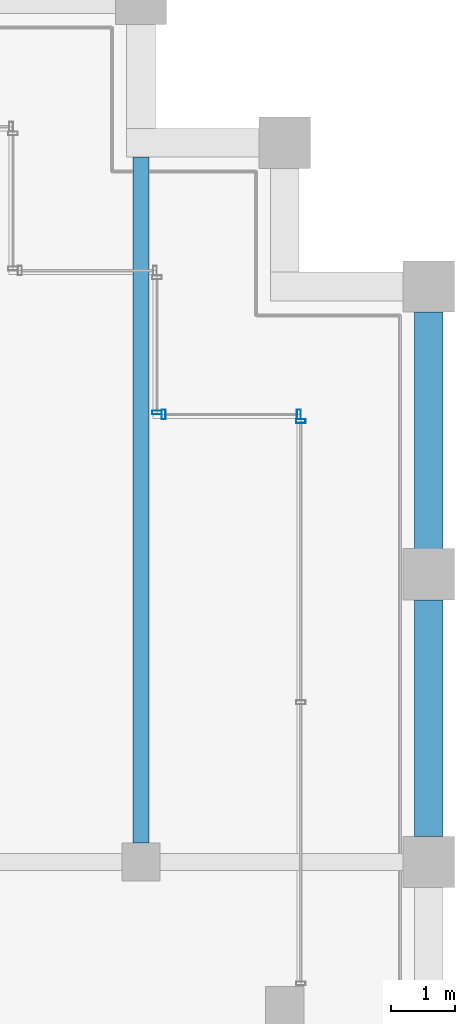
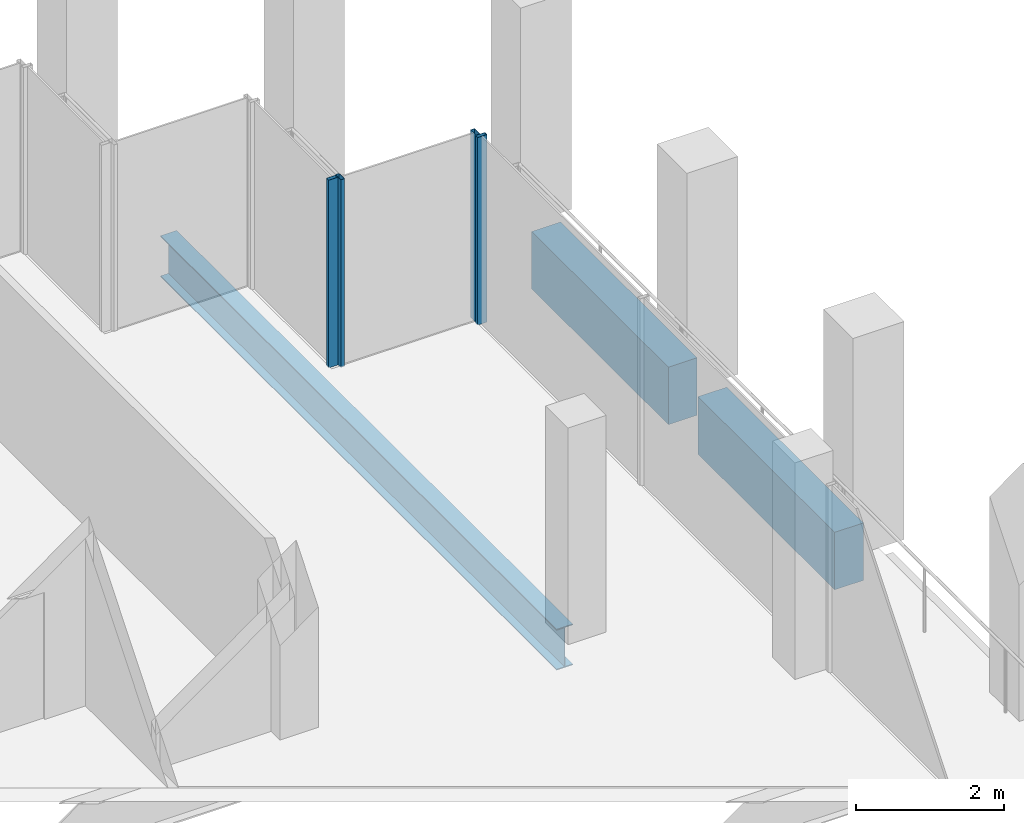
# One storey, part 25 of 30: 4 members, 3 beams, 3 elements without a shape of their own.
"""IFC4 building model written with IfcOpenShell, lengths in metres."""

from ifc_helpers import new_model, si_unit, direction, frame, origin, origin_2d, place, context, subcontext, project, spatial, rectangle, hollow_rectangle, i_section, extrude, material, material_profile, profile_set, type_object, element, aggregate, save


model = new_model("IFC4")

# Units and contexts
model_context = context("Model", 3, precision=1e-05, world=origin(), true_north=direction((0.0, 1.0)))
body_context = subcontext(model_context, "Body", "Model", "MODEL_VIEW")
ifc_project = project(units=[si_unit("LENGTHUNIT", "METRE"), si_unit("AREAUNIT", "SQUARE_METRE"), si_unit("VOLUMEUNIT", "CUBIC_METRE"), si_unit("PLANEANGLEUNIT", "RADIAN"), si_unit("MASSUNIT", "GRAM", prefix="KILO")], contexts=[model_context])

# Site, building, storey
site_placement = place(None, origin())
site = spatial("IfcSite", under=ifc_project, at=site_placement, CompositionType="ELEMENT")
building_placement = place(site_placement, origin())
building = spatial("IfcBuilding", under=site, at=building_placement, Name="Altepetl Exchange Towers", CompositionType="ELEMENT")
storey_placement = place(building_placement, frame((0.0, 0.0, 217.199951171875)))
storey = spatial("IfcBuildingStorey", under=building, at=storey_placement, Name="L55", CompositionType="ELEMENT", Elevation=217.199951171875)

# Beam
ifc_material_1 = material(Name="Steel S355", Category="steel")
ifc_material_profile_1 = material_profile(ifc_material_1, i_section(OverallWidth=0.2529296875, OverallDepth=0.677978515625, WebThickness=0.01171875, FlangeThickness=0.016357421875, at=origin_2d()), Name="W27X84")
ifc_profile_set_1 = profile_set([ifc_material_profile_1], Name="Steel S355")
beam_type_1 = type_object("IfcBeamType", Name="Floor beam W27X84", PredefinedType="BEAM", material=ifc_profile_set_1)
beam_placement = place(storey_placement, frame((67.5, 58.800048828125, -0.489013671875), z_axis=(0.0, 1.0, 0.0), x_axis=(-1.0, 0.0, 0.0)))
element("IfcBeam", 1, at=beam_placement, inside=storey, type_object=beam_type_1, Name="bm:A:L55:005", PredefinedType="BEAM", context=body_context, shape_type="SweptSolid", body=[
    extrude(i_section(OverallWidth=0.2529296875, OverallDepth=0.677978515625, WebThickness=0.01171875, FlangeThickness=0.016357421875, at=origin_2d()), origin(), (0.0, 0.0, 1.0), 10.724853515625),
])

# Curtain wall, member
ifc_material_2 = material(Name="Aluminium 6063-T6 glazing", Category="aluminium")
curtain_wall_type = type_object("IfcCurtainWallType", Name="Loggia glazing system", PredefinedType="NOTDEFINED", material=ifc_material_2)
curtain_wall_1_placement = place(storey_placement, origin())
curtain_wall_1 = element("IfcCurtainWall", 2, at=curtain_wall_1_placement, inside=storey, type_object=curtain_wall_type, Name="CW1 run", PredefinedType="NOTDEFINED")
ifc_material_3 = material(Name="Aluminium 6063-T6", Category="aluminium")
ifc_material_profile_2 = material_profile(ifc_material_3, hollow_rectangle(XDim=0.06005859375, YDim=0.14990234375, WallThickness=0.0029296875, at=origin_2d()), Name="Mullion 60x150 aluminium")
ifc_profile_set_2 = profile_set([ifc_material_profile_2], Name="Aluminium 6063-T6")
member_type = type_object("IfcMemberType", Name="Mullion 60x150 aluminium", PredefinedType="MULLION", material=ifc_profile_set_2)
member_1_placement = place(storey_placement, frame((70.0, 65.39501953125, 0.0), z_axis=(0.0, 0.0, 1.0), x_axis=(0.0, 1.0, 0.0)))
member_1 = element("IfcMember", 3, at=member_1_placement, type_object=member_type, Name="MU1 mullion", PredefinedType="MULLION", context=body_context, shape_type="SweptSolid", body=[
    extrude(hollow_rectangle(XDim=0.06005859375, YDim=0.14990234375, WallThickness=0.0029296875, at=origin_2d()), origin(), (0.0, 0.0, 1.0), 3.10009765625),
])
aggregate(curtain_wall_1, [member_1])

# Curtain wall, members
curtain_wall_2_placement = place(storey_placement, origin())
curtain_wall_2 = element("IfcCurtainWall", 4, at=curtain_wall_2_placement, inside=storey, type_object=curtain_wall_type, Name="CW1 run", PredefinedType="NOTDEFINED")
member_2_placement = place(storey_placement, frame((69.969970703125, 65.5, 0.0), z_axis=(0.0, 0.0, 1.0), x_axis=(-1.0, 0.0, 0.0)))
member_2 = element("IfcMember", 5, at=member_2_placement, type_object=member_type, Name="MU1 mullion", PredefinedType="MULLION", context=body_context, shape_type="SweptSolid", body=[
    extrude(hollow_rectangle(XDim=0.06005859375, YDim=0.14990234375, WallThickness=0.0029296875, at=origin_2d()), origin(), (0.0, 0.0, 1.0), 3.10009765625),
])
member_3_placement = place(storey_placement, frame((67.85498046875, 65.5, 0.0), z_axis=(0.0, 0.0, 1.0), x_axis=(-1.0, 0.0, 0.0)))
member_3 = element("IfcMember", 6, at=member_3_placement, type_object=member_type, Name="MU1 mullion", PredefinedType="MULLION", context=body_context, shape_type="SweptSolid", body=[
    extrude(hollow_rectangle(XDim=0.06005859375, YDim=0.14990234375, WallThickness=0.0029296875, at=origin_2d()), origin(), (0.0, 0.0, 1.0), 3.10009765625),
])
aggregate(curtain_wall_2, [member_2, member_3])

# Curtain wall, member
curtain_wall_3_placement = place(storey_placement, origin())
curtain_wall_3 = element("IfcCurtainWall", 7, at=curtain_wall_3_placement, inside=storey, type_object=curtain_wall_type, Name="CW1 run", PredefinedType="NOTDEFINED")
member_4_placement = place(storey_placement, frame((67.75, 65.530029296875, 0.0), z_axis=(0.0, 0.0, 1.0), x_axis=(0.0, 1.0, 0.0)))
member_4 = element("IfcMember", 8, at=member_4_placement, type_object=member_type, Name="MU1 mullion", PredefinedType="MULLION", context=body_context, shape_type="SweptSolid", body=[
    extrude(hollow_rectangle(XDim=0.06005859375, YDim=0.14990234375, WallThickness=0.0029296875, at=origin_2d()), origin(), (0.0, 0.0, 1.0), 3.10009765625),
])
aggregate(curtain_wall_3, [member_4])

# Beams
ifc_material_4 = material(Name="Concrete C50/60 precast with cantera rosa facing", Category="concrete")
ifc_material_profile_3 = material_profile(ifc_material_4, rectangle(XDim=0.449951171875, YDim=0.949951171875, at=origin_2d()), Name="450 x 950")
ifc_profile_set_3 = profile_set([ifc_material_profile_3], Name="Concrete C50/60 precast with cantera rosa facing")
beam_type_2 = type_object("IfcBeamType", Name="Spandrel beam 450x950 cantera rosa", PredefinedType="SPANDREL", material=ifc_profile_set_3)
for number, where, z_axis, x_axis, name in (
    (9, (72.0, 58.89990234375, -0.625), (0.0, 1.0, 0.0), (-1.0, 0.0, 0.0), "sp:A:L55:018"),
    (10, (72.0, 63.39990234375, -0.625), (0.0, 1.0, 0.0), (-1.0, 0.0, 0.0), "sp:A:L55:019"),
):
    element("IfcBeam", number, at=place(storey_placement, frame(where, z_axis=z_axis, x_axis=x_axis)), inside=storey, type_object=beam_type_2, Name=name, PredefinedType="SPANDREL", context=body_context, shape_type="SweptSolid", body=[
        extrude(rectangle(XDim=0.449951171875, YDim=0.949951171875, at=origin_2d()), origin(), (0.0, 0.0, 1.0), 3.7001953125),
    ])

save(model, "model.ifc")
